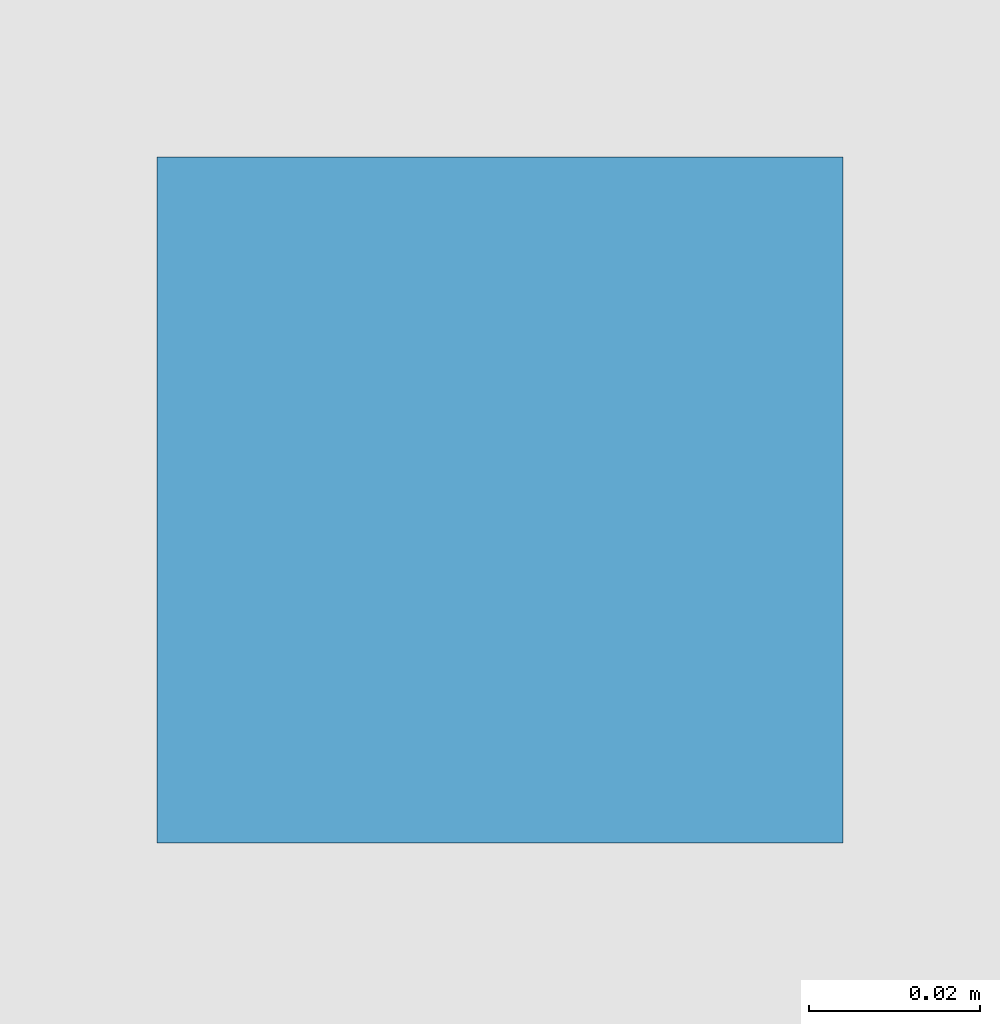
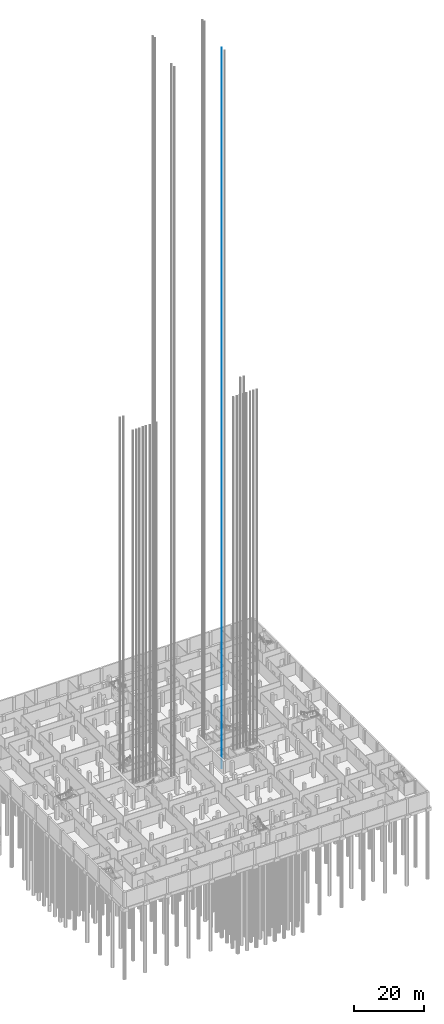
# One storey, part 37 of 54: 1 discrete accessory.
"""IFC4 building model written with IfcOpenShell, lengths in metres."""

import ifcopenshell
import ifcopenshell.guid

model = None  # the IFC model being written
_history = None  # IfcOwnerHistory: only IFC2X3 demands one
_inside = {}  # id of a spatial element -> (the spatial element, [elements in it])
_under = {}  # id of a project, library or spatial element -> (it, [spatial elements below it])
_declared = {}  # id of a project -> (the project, [libraries it declares])
_typed = {}  # id of a type object -> (the type object, [elements of that type])
_made_of = {}  # id of a material, layer set ... -> (it, [elements and type objects made of it])


def new_model(schema):
    """Start an empty IFC model of exactly this schema.

    Asked for "IFC4X3", IfcOpenShell would pick the latest addendum, in which some entities
    have other attributes; the version numbers below select the first issue.
    IFC2X3 requires an IfcOwnerHistory on every rooted entity: one is made here for all.
    """
    global model, _history
    if schema == "IFC4X3":
        model = ifcopenshell.file(schema_version=(4, 3, 0, 0))
    else:
        model = ifcopenshell.file(schema=schema)
    _inside.clear()
    _under.clear()
    _declared.clear()
    _typed.clear()
    _made_of.clear()
    _history = None
    if model.schema == "IFC2X3":
        org = make("IfcOrganization", Name="unknown")
        user = make(
            "IfcPersonAndOrganization",
            ThePerson=make("IfcPerson", FamilyName="unknown"),
            TheOrganization=org,
        )
        app = make(
            "IfcApplication",
            ApplicationDeveloper=org,
            Version="unknown",
            ApplicationFullName="unknown",
            ApplicationIdentifier="unknown",
        )
        _history = make(
            "IfcOwnerHistory",
            OwningUser=user,
            OwningApplication=app,
            ChangeAction="ADDED",
            CreationDate=0,
        )
    return model


def make(cls, **values):
    """One entity of the class cls with the attributes given. An attribute that is None is left unset."""
    return model.create_entity(
        cls, **{name: value for name, value in values.items() if value is not None}
    )


def rooted(cls, **values):
    """An entity with a GlobalId (a new one), such as an element, a storey or a relation."""
    return make(cls, GlobalId=ifcopenshell.guid.new(), OwnerHistory=_history, **values)


def si_unit(unit_type, name, prefix=None):
    """IfcSIUnit, for example si_unit("LENGTHUNIT", "METRE", prefix="MILLI")."""
    return make("IfcSIUnit", UnitType=unit_type, Prefix=prefix, Name=name)


def assignment(units):
    """IfcUnitAssignment: the units of a project."""
    return None if units is None else make("IfcUnitAssignment", Units=units)


def point(xyz):
    """IfcCartesianPoint."""
    return None if xyz is None else make("IfcCartesianPoint", Coordinates=xyz)


def direction(xyz):
    """IfcDirection."""
    return None if xyz is None else make("IfcDirection", DirectionRatios=xyz)


def frame(location, z_axis=None, x_axis=None):
    """IfcAxis2Placement3D, a coordinate frame: its origin and axes. An axis left out is left unset."""
    return make(
        "IfcAxis2Placement3D",
        Location=point(location),
        Axis=direction(z_axis),
        RefDirection=direction(x_axis),
    )


def frame_2d(location, x_axis=None):
    """IfcAxis2Placement2D, a coordinate frame in the plane: its origin and x axis."""
    return make(
        "IfcAxis2Placement2D", Location=point(location), RefDirection=direction(x_axis)
    )


def origin():
    """The frame at (0, 0, 0) with its axes left unset."""
    return frame((0.0, 0.0, 0.0))


def origin_2d():
    """The frame at (0, 0) in the plane with its x axis left unset."""
    return frame_2d((0.0, 0.0))


def place(relative_to, where):
    """IfcLocalPlacement: puts the frame where relative to a parent placement (None: the world)."""
    return make(
        "IfcLocalPlacement", PlacementRelTo=relative_to, RelativePlacement=where
    )


def context(
    kind, dimensions, precision=None, world=None, true_north=None, identifier=None
):
    """IfcGeometricRepresentationContext, for example the 3D "Model" context."""
    return make(
        "IfcGeometricRepresentationContext",
        ContextIdentifier=identifier,
        ContextType=kind,
        CoordinateSpaceDimension=dimensions,
        Precision=precision,
        WorldCoordinateSystem=world,
        TrueNorth=true_north,
    )


def subcontext(parent, identifier, kind, view, scale=None):
    """IfcGeometricRepresentationSubContext, for example "Body" below "Model"."""
    return make(
        "IfcGeometricRepresentationSubContext",
        ContextIdentifier=identifier,
        ContextType=kind,
        ParentContext=parent,
        TargetScale=scale,
        TargetView=view,
    )


def project(units=None, contexts=None):
    """IfcProject with its units and contexts."""
    return rooted(
        "IfcProject",
        Name="project",
        RepresentationContexts=contexts,
        UnitsInContext=assignment(units),
    )


def spatial(cls, under=None, at=None, **own):
    """A site, building, storey or space (cls), placed at a placement, below another one or the project."""
    s = rooted(cls, ObjectPlacement=at, **own)
    if under is not None:
        _under.setdefault(under.id(), (under, []))[1].append(s)
    return s


def profile(cls, at=None, kind="AREA", **sizes):
    """A parametric profile (cls). Its sizes go by their IFC names, for example OverallWidth=200.0."""
    return make(cls, ProfileType=kind, Position=at, **sizes)


def rectangle(**sizes):
    """IfcRectangleProfileDef."""
    return profile("IfcRectangleProfileDef", **sizes)


def extrude(swept, where, along, depth):
    """IfcExtrudedAreaSolid: the profile swept, set in the frame where, extruded along a direction by depth."""
    return make(
        "IfcExtrudedAreaSolid",
        SweptArea=swept,
        Position=where,
        ExtrudedDirection=direction(along),
        Depth=depth,
    )


def shape(context_of_items, identifier, shape_type, items):
    """IfcShapeRepresentation: the items that make up one representation, for example the "Body"."""
    return make(
        "IfcShapeRepresentation",
        ContextOfItems=context_of_items,
        RepresentationIdentifier=identifier,
        RepresentationType=shape_type,
        Items=items,
    )


def material(Name=None, Category=None):
    """IfcMaterial."""
    return make("IfcMaterial", Name=Name, Category=Category)


def made_of(thing, what):
    """Note that an element or type object is made of a material, layer set ...; save() writes the relation."""
    if what is not None:
        _made_of.setdefault(what.id(), (what, []))[1].append(thing)
    return thing


def element(
    cls,
    number,
    at=None,
    inside=None,
    cuts=None,
    type_object=None,
    material=None,
    context=None,
    identifier="Body",
    shape_type=None,
    held_by="IfcProductDefinitionShape",
    body=None,
    shapes=None,
    **own,
):
    """One element of the class cls, such as IfcWall. Its Tag is "e" and its number.

    at: its placement. inside: the storey or other place that contains it. cuts: it is an
    opening in that element (IfcRelVoidsElement). A single representation is given by context,
    identifier, shape_type and body (its items); several are given by shapes. held_by: the class
    of the entity that holds the representations. save() writes the other relations.
    """
    e = rooted(cls, Tag="e%d" % number, ObjectPlacement=at, **own)
    if body is not None:
        shapes = [shape(context, identifier, shape_type, body)]
    if shapes is not None:
        e.Representation = make(held_by, Representations=shapes)
    if inside is not None:
        _inside.setdefault(inside.id(), (inside, []))[1].append(e)
    if cuts is not None:
        rooted(
            "IfcRelVoidsElement", RelatingBuildingElement=cuts, RelatedOpeningElement=e
        )
    if type_object is not None:
        _typed.setdefault(type_object.id(), (type_object, []))[1].append(e)
    return made_of(e, material)


def aggregate(whole, parts):
    """IfcRelAggregates: a whole, such as a stair, and the parts it consists of."""
    return rooted("IfcRelAggregates", RelatingObject=whole, RelatedObjects=parts)


def save(model, path):
    """Write the relations noted so far, then the file.

    IfcRelAggregates (storeys below a building ...), IfcRelContainedInSpatialStructure (elements
    in a storey), IfcRelDefinesByType, IfcRelAssociatesMaterial and IfcRelDeclares: one each for
    every whole, place, type object, material and project.
    """
    for whole, parts in _under.values():
        aggregate(whole, parts)
    for where, things in _inside.values():
        rooted(
            "IfcRelContainedInSpatialStructure",
            RelatedElements=things,
            RelatingStructure=where,
        )
    for kind, things in _typed.values():
        rooted("IfcRelDefinesByType", RelatedObjects=things, RelatingType=kind)
    for what, things in _made_of.values():
        rooted("IfcRelAssociatesMaterial", RelatedObjects=things, RelatingMaterial=what)
    for by, libraries in _declared.values():
        rooted("IfcRelDeclares", RelatingContext=by, RelatedDefinitions=libraries)
    model.write(path)


model = new_model("IFC4")

# Units and contexts
model_context = context("Model", 3, precision=1e-05, world=origin(), true_north=direction((0.0, 1.0)))
body_context = subcontext(model_context, "Body", "Model", "MODEL_VIEW")
ifc_project = project(units=[si_unit("LENGTHUNIT", "METRE"), si_unit("AREAUNIT", "SQUARE_METRE"), si_unit("VOLUMEUNIT", "CUBIC_METRE"), si_unit("PLANEANGLEUNIT", "RADIAN"), si_unit("MASSUNIT", "GRAM", prefix="KILO")], contexts=[model_context])

# Site, building, storey
site_placement = place(None, origin())
site = spatial("IfcSite", under=ifc_project, at=site_placement, CompositionType="ELEMENT")
building_placement = place(site_placement, origin())
building = spatial("IfcBuilding", under=site, at=building_placement, Name="Fustian Cross Tower", CompositionType="ELEMENT")
storey_placement = place(building_placement, frame((0.0, 0.0, -4.800048828125)))
storey = spatial("IfcBuildingStorey", under=building, at=storey_placement, Name="B1", CompositionType="ELEMENT", Elevation=-4.800048828125)

# Discrete accessory
ifc_material = material(Name="Steel S355", Category="steel")
discrete_accessory_placement = place(storey_placement, frame((8.2900390625, -4.699951171875, 0.0), z_axis=(0.0, 0.0, 1.0), x_axis=(1.0, 0.0, 0.0)))
element("IfcDiscreteAccessory", 1, at=discrete_accessory_placement, inside=storey, material=ifc_material, Name="Lift guide rail SV1 2", PredefinedType="NOTDEFINED", context=body_context, shape_type="SweptSolid", body=[
    extrude(rectangle(XDim=0.080078125, YDim=0.080078125, at=origin_2d()), origin(), (0.0, 0.0, 1.0), 251.300048828125),
])

save(model, "model.ifc")
